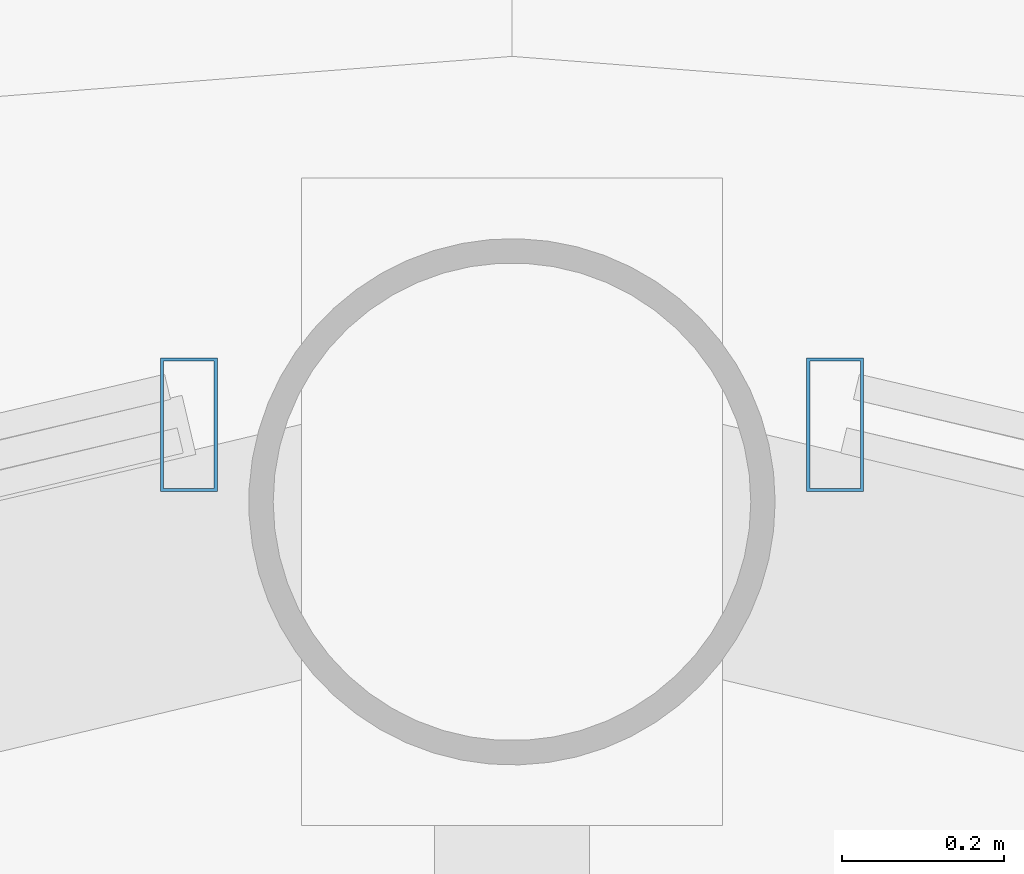
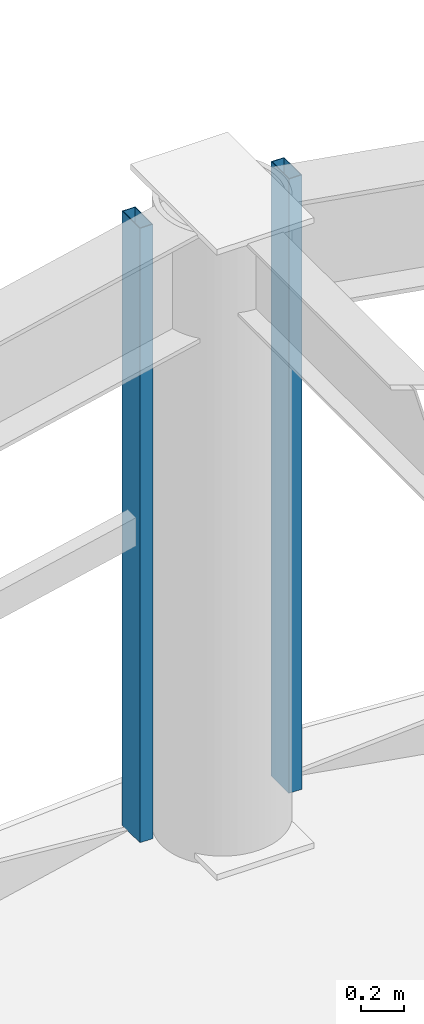
# One storey, part 19 of 30: 2 members, 2 elements without a shape of their own.
"""IFC4 building model written with IfcOpenShell, lengths in metres."""

from ifc_helpers import new_model, si_unit, direction, frame, origin, origin_2d, place, context, subcontext, project, spatial, hollow_rectangle, extrude, material, layer, layer_set, material_profile, profile_set, type_object, element, aggregate, save


model = new_model("IFC4")

# Units and contexts
model_context = context("Model", 3, precision=1e-05, world=origin(), true_north=direction((0.0, 1.0)))
body_context = subcontext(model_context, "Body", "Model", "MODEL_VIEW")
ifc_project = project(units=[si_unit("LENGTHUNIT", "METRE"), si_unit("AREAUNIT", "SQUARE_METRE"), si_unit("VOLUMEUNIT", "CUBIC_METRE"), si_unit("PLANEANGLEUNIT", "RADIAN"), si_unit("MASSUNIT", "GRAM", prefix="KILO")], contexts=[model_context])

# Site, building, storey
site_placement = place(None, origin())
site = spatial("IfcSite", under=ifc_project, at=site_placement, CompositionType="ELEMENT")
building_placement = place(site_placement, origin())
building = spatial("IfcBuilding", under=site, at=building_placement, Name="Vantalir Tower", CompositionType="ELEMENT")
storey_placement = place(building_placement, frame((0.0, 0.0, 186.14990234375)))
storey = spatial("IfcBuildingStorey", under=building, at=storey_placement, Name="L46", CompositionType="ELEMENT", Elevation=186.14990234375)

# Curtain wall, member
ifc_material_1 = material(Name="Champagne-silver PVDF aluminium and double-silver Low-E glass", Category="aluminium")
ifc_layer = layer(ifc_material_1, 0.2099609375)
ifc_layer_set = layer_set([ifc_layer], Name="Champagne-silver PVDF aluminium and double-silver Low-E glass")
curtain_wall_type = type_object("IfcCurtainWallType", Name="CW-DIAMOND-Z3", PredefinedType="USERDEFINED", material=ifc_layer_set)
curtain_wall_1_placement = place(storey_placement, origin())
curtain_wall_1 = element("IfcCurtainWall", 1, at=curtain_wall_1_placement, inside=storey, type_object=curtain_wall_type, Name="L46 Quilted Pyramid-Diamond Curtain Wall S03", ObjectType="UNITISED CURTAIN WALL", PredefinedType="USERDEFINED")
ifc_material_2 = material(Name="Champagne-silver PVDF aluminium 6063-T6", Category="aluminium")
ifc_material_profile = material_profile(ifc_material_2, hollow_rectangle(XDim=0.070068359375, YDim=0.1650390625, WallThickness=0.00390625, at=origin_2d()), Name="Champagne-silver PVDF aluminium 6063-T6")
ifc_profile_set = profile_set([ifc_material_profile], Name="Champagne-silver PVDF aluminium 6063-T6")
member_type = type_object("IfcMemberType", Name="CWM-165x70", PredefinedType="MULLION", material=ifc_profile_set)
member_1_placement = place(storey_placement, frame((31.89892578125, 45.282958984375, 0.045166015625), z_axis=(0.0, 0.0, 1.0), x_axis=(1.0, 0.0, 0.0)))
member_1 = element("IfcMember", 2, at=member_1_placement, type_object=member_type, Name="CW-L46-S03 Mullion 2", PredefinedType="MULLION", context=body_context, shape_type="SweptSolid", body=[
    extrude(hollow_rectangle(XDim=0.070068359375, YDim=0.1650390625, WallThickness=0.00390625, at=origin_2d()), origin(), (0.0, 0.0, 1.0), 3.47998046875),
])
aggregate(curtain_wall_1, [member_1])

curtain_wall_2_placement = place(storey_placement, origin())
curtain_wall_2 = element("IfcCurtainWall", 3, at=curtain_wall_2_placement, inside=storey, type_object=curtain_wall_type, Name="L46 Quilted Pyramid-Diamond Curtain Wall S04", ObjectType="UNITISED CURTAIN WALL", PredefinedType="USERDEFINED")
member_2_placement = place(storey_placement, frame((31.10107421875, 45.282958984375, 0.045166015625), z_axis=(0.0, 0.0, 1.0), x_axis=(1.0, 0.0, 0.0)))
member_2 = element("IfcMember", 4, at=member_2_placement, type_object=member_type, Name="CW-L46-S04 Mullion 1", PredefinedType="MULLION", context=body_context, shape_type="SweptSolid", body=[
    extrude(hollow_rectangle(XDim=0.070068359375, YDim=0.1650390625, WallThickness=0.00390625, at=origin_2d()), origin(), (0.0, 0.0, 1.0), 3.47998046875),
])
aggregate(curtain_wall_2, [member_2])

save(model, "model.ifc")
